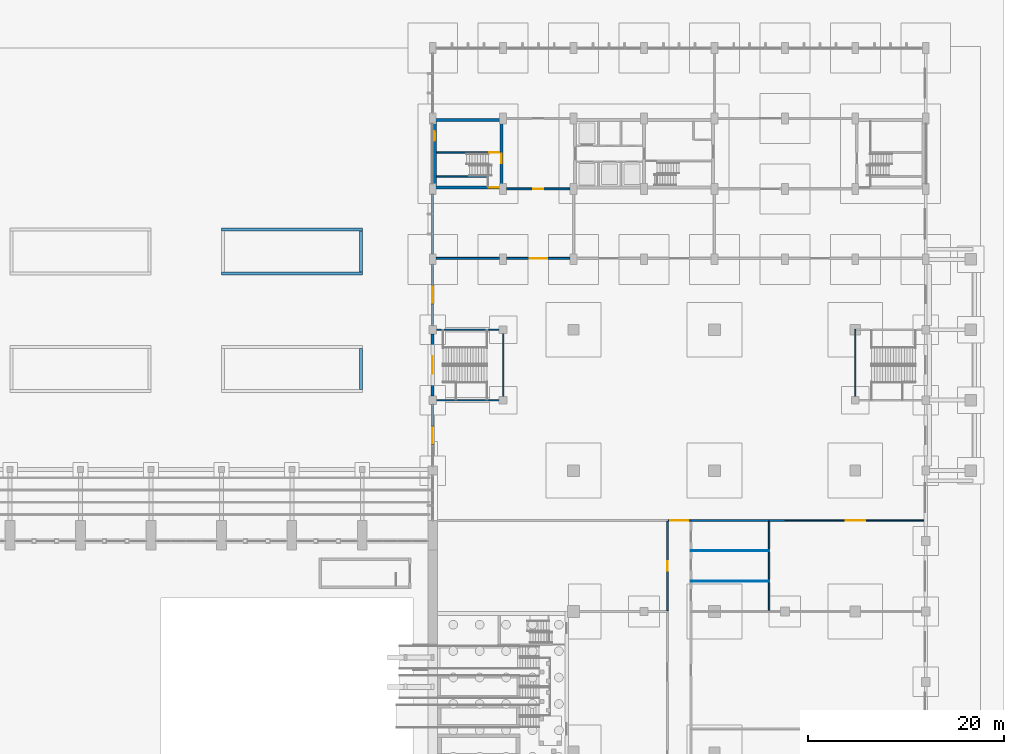
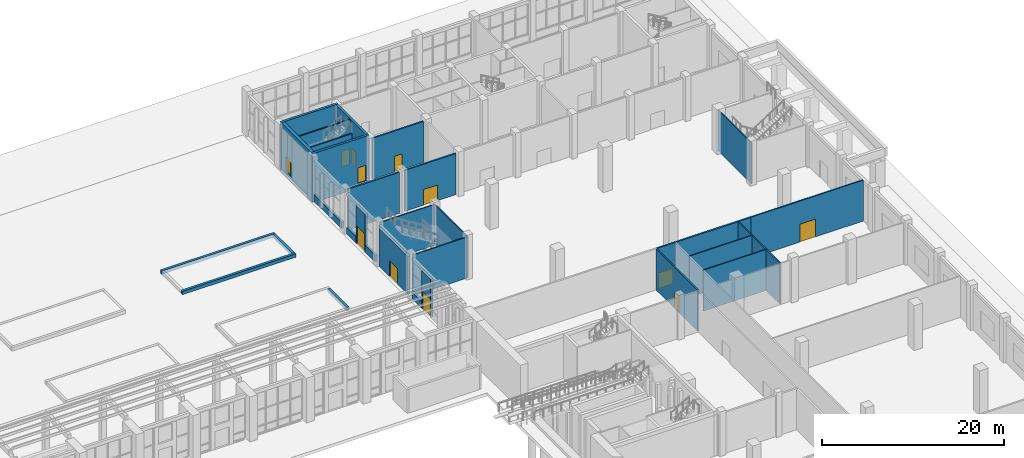
# One storey, part 51 of 70: 32 walls, 12 doors, 12 openings.
"""IFC4 building model written with IfcOpenShell, lengths in metres."""

from ifc_helpers import new_model, si_unit, direction, frame, frame_2d, origin, place, context, subcontext, project, spatial, rectangle, extrude, material, layer, layer_set, type_object, element, fill, save


model = new_model("IFC4")

# Units and contexts
model_context = context("Model", 3, precision=1e-05, world=origin(), true_north=direction((0.0, 1.0)))
body_context = subcontext(model_context, "Body", "Model", "MODEL_VIEW")
ifc_project = project(units=[si_unit("LENGTHUNIT", "METRE"), si_unit("AREAUNIT", "SQUARE_METRE"), si_unit("VOLUMEUNIT", "CUBIC_METRE"), si_unit("PLANEANGLEUNIT", "RADIAN"), si_unit("MASSUNIT", "GRAM", prefix="KILO")], contexts=[model_context])

# Site, building, storey
site_placement = place(None, origin())
site = spatial("IfcSite", under=ifc_project, at=site_placement, CompositionType="ELEMENT")
building_placement = place(site_placement, origin())
building = spatial("IfcBuilding", under=site, at=building_placement, Name="Vermilion Court Aquatics Centre", CompositionType="ELEMENT")
storey_placement = place(building_placement, origin())
storey = spatial("IfcBuildingStorey", under=building, at=storey_placement, Name="L00", CompositionType="ELEMENT", Elevation=0.0)

# Walls
ifc_material_1 = material(Name="Brick masonry", Category="masonry")
ifc_layer_1 = layer(ifc_material_1, 0.300048828125)
ifc_layer_set_1 = layer_set([ifc_layer_1], Name="Court planting kerb 300")
wall_type_1 = type_object("IfcWallType", Name="Court planting kerb 300", PredefinedType="SOLIDWALL", material=ifc_layer_set_1)
wall_1_placement = place(storey_placement, frame((136.64990234375, 80.300048828125, 0.0), z_axis=(0.0, 0.0, 1.0), x_axis=(0.0, 1.0, 0.0)))
element("IfcWall", 1, at=wall_1_placement, inside=storey, type_object=wall_type_1, Name="Planting bed 4 kerb", PredefinedType="SOLIDWALL", context=body_context, shape_type="SweptSolid", body=[
    extrude(rectangle(XDim=4.199951171875, YDim=0.300048828125, at=frame_2d((2.10009765625, 0.0))), origin(), (0.0, 0.0, 1.0), 0.449951171875),
])
for number, where, z_axis, x_axis, name in (
    (2, (122.39990234375, 92.14990234375, 0.0), (0.0, 0.0, 1.0), (1.0, 0.0, 0.0), "Planting bed 8 kerb"),
    (3, (122.39990234375, 96.64990234375, 0.0), (0.0, 0.0, 1.0), (1.0, 0.0, 0.0), "Planting bed 8 kerb"),
):
    element("IfcWall", number, at=place(storey_placement, frame(where, z_axis=z_axis, x_axis=x_axis)), inside=storey, type_object=wall_type_1, Name=name, PredefinedType="SOLIDWALL", context=body_context, shape_type="SweptSolid", body=[
        extrude(rectangle(XDim=14.400146484375, YDim=0.300048828125, at=frame_2d((7.2001953125, 0.0))), origin(), (0.0, 0.0, 1.0), 0.449951171875),
    ])
wall_2_placement = place(storey_placement, frame((136.64990234375, 92.300048828125, 0.0), z_axis=(0.0, 0.0, 1.0), x_axis=(0.0, 1.0, 0.0)))
element("IfcWall", 4, at=wall_2_placement, inside=storey, type_object=wall_type_1, Name="Planting bed 8 kerb", PredefinedType="SOLIDWALL", context=body_context, shape_type="SweptSolid", body=[
    extrude(rectangle(XDim=4.199951171875, YDim=0.300048828125, at=frame_2d((2.10009765625, 0.0))), origin(), (0.0, 0.0, 1.0), 0.449951171875),
])

# Wall, opening, door
ifc_material_2 = material(Name="Concrete 8000 psi", Category="concrete")
ifc_layer_2 = layer(ifc_material_2, 0.39990234375)
ifc_layer_set_2 = layer_set([ifc_layer_2], Name="North block core brick-faced shear wall 400")
wall_type_2 = type_object("IfcWallType", Name="North block core brick-faced shear wall 400", PredefinedType="SHEAR", material=ifc_layer_set_2)
wall_3_placement = place(storey_placement, frame((144.199951171875, 101.10009765625, -0.60009765625), z_axis=(0.0, 0.0, 1.0), x_axis=(0.0, 1.0, 0.0)))
wall_3 = element("IfcWall", 5, at=wall_3_placement, inside=storey, type_object=wall_type_2, Name="Stair 1 shear wall outer L00", PredefinedType="SHEAR", context=body_context, shape_type="SweptSolid", body=[
    extrude(rectangle(XDim=6.599853515625, YDim=0.39990234375, at=frame_2d((3.2998046875, 0.0))), origin(), (0.0, 0.0, 1.0), 6.60009765625),
])
opening_1_placement = place(wall_3_placement, frame((4.60009765625, 0.0, 0.60009765625)))
opening_1 = element("IfcOpeningElement", 6, at=opening_1_placement, cuts=wall_3, Name="Opening U00-013", PredefinedType="OPENING", context=body_context, shape_type="SweptSolid", body=[
    extrude(rectangle(XDim=1.0, YDim=2.10009765625, at=frame_2d((0.5, 1.050048828125))), frame((0.0, 0.2099609375, 0.0), z_axis=(0.0, -1.0, 0.0), x_axis=(1.0, 0.0, 0.0)), (0.0, 0.0, 1.0), 0.419921875),
])
ifc_material_3 = material(Name="Hollow metal")
door_type_1 = type_object("IfcDoorType", Name="North block exit door FD90 1000x2100", OperationType="NOTDEFINED", PredefinedType="DOOR", material=ifc_material_3)
door_1_placement = place(opening_1_placement, origin())
door_1 = element("IfcDoor", 7, at=door_1_placement, inside=storey, type_object=door_type_1, Name="Fire control room exit door", OperationType="SINGLE_SWING_RIGHT", OverallHeight=2.10009765625, OverallWidth=1.0, PredefinedType="DOOR", context=body_context, shape_type="SweptSolid", body=[
    extrude(rectangle(XDim=1.0, YDim=2.10009765625, at=frame_2d((0.5, 1.050048828125))), frame((0.0, 0.02490234375, 0.0), z_axis=(0.0, -1.0, 0.0), x_axis=(1.0, 0.0, 0.0)), (0.0, 0.0, 1.0), 0.050048828125),
])
fill(opening_1, door_1)

ifc_material_4 = material(Name="Concrete 8000 psi", Category="concrete")
ifc_layer_3 = layer(ifc_material_4, 0.300048828125)
ifc_layer_set_3 = layer_set([ifc_layer_3], Name="North block core shear wall 300")
wall_type_3 = type_object("IfcWallType", Name="North block core shear wall 300", PredefinedType="SHEAR", material=ifc_layer_set_3)
wall_4_placement = place(storey_placement, frame((144.0, 100.949951171875, -0.60009765625), z_axis=(0.0, 0.0, 1.0), x_axis=(1.0, 0.0, 0.0)))
wall_4 = element("IfcWall", 8, at=wall_4_placement, inside=storey, type_object=wall_type_3, Name="Stair 1 shear wall south L00", PredefinedType="SHEAR", context=body_context, shape_type="SweptSolid", body=[
    extrude(rectangle(XDim=7.199951171875, YDim=0.300048828125, at=frame_2d((3.60009765625, 0.0))), origin(), (0.0, 0.0, 1.0), 6.60009765625),
])
opening_2_placement = place(wall_4_placement, frame((5.75, 0.0, 0.60009765625)))
opening_2 = element("IfcOpeningElement", 9, at=opening_2_placement, cuts=wall_4, Name="Opening U00-010", PredefinedType="OPENING", context=body_context, shape_type="SweptSolid", body=[
    extrude(rectangle(XDim=1.0, YDim=2.10009765625, at=frame_2d((0.5, 1.050048828125))), frame((0.0, 0.159912109375, 0.0), z_axis=(0.0, -1.0, 0.0), x_axis=(1.0, 0.0, 0.0)), (0.0, 0.0, 1.0), 0.320068359375),
])
door_2_placement = place(opening_2_placement, frame((1.0, 0.0, 0.0), z_axis=(0.0, 0.0, 1.0), x_axis=(-1.0, 0.0, 0.0)))
door_2 = element("IfcDoor", 10, at=door_2_placement, inside=storey, type_object=door_type_1, Name="Stair 1 exit door", OperationType="SINGLE_SWING_LEFT", OverallHeight=2.10009765625, OverallWidth=1.0, PredefinedType="DOOR", context=body_context, shape_type="SweptSolid", body=[
    extrude(rectangle(XDim=1.0, YDim=2.10009765625, at=frame_2d((0.5, 1.050048828125))), frame((0.0, 0.025146484375, 0.0), z_axis=(0.0, -1.0, 0.0), x_axis=(1.0, 0.0, 0.0)), (0.0, 0.0, 1.0), 0.050048828125),
])
fill(opening_2, door_2)

# Wall
wall_5_placement = place(storey_placement, frame((144.0, 107.85009765625, -0.60009765625), z_axis=(0.0, 0.0, 1.0), x_axis=(1.0, 0.0, 0.0)))
element("IfcWall", 11, at=wall_5_placement, inside=storey, type_object=wall_type_3, Name="Stair 1 shear wall north L00", PredefinedType="SHEAR", context=body_context, shape_type="SweptSolid", body=[
    extrude(rectangle(XDim=7.199951171875, YDim=0.300048828125, at=frame_2d((3.60009765625, 0.0))), origin(), (0.0, 0.0, 1.0), 6.60009765625),
])

# Wall, opening, door
wall_6_placement = place(storey_placement, frame((151.050048828125, 101.10009765625, -0.60009765625), z_axis=(0.0, 0.0, 1.0), x_axis=(0.0, 1.0, 0.0)))
wall_6 = element("IfcWall", 12, at=wall_6_placement, inside=storey, type_object=wall_type_3, Name="Stair 1 shear wall inner L00", PredefinedType="SHEAR", context=body_context, shape_type="SweptSolid", body=[
    extrude(rectangle(XDim=6.599853515625, YDim=0.300048828125, at=frame_2d((3.2998046875, 0.0))), origin(), (0.0, 0.0, 1.0), 6.60009765625),
])
opening_3_placement = place(wall_6_placement, frame((2.300048828125, 0.0, 0.60009765625)))
opening_3 = element("IfcOpeningElement", 13, at=opening_3_placement, cuts=wall_6, Name="Opening U00-008", PredefinedType="OPENING", context=body_context, shape_type="SweptSolid", body=[
    extrude(rectangle(XDim=1.0, YDim=2.10009765625, at=frame_2d((0.5, 1.050048828125))), frame((0.0, 0.159912109375, 0.0), z_axis=(0.0, -1.0, 0.0), x_axis=(1.0, 0.0, 0.0)), (0.0, 0.0, 1.0), 0.320068359375),
])
ifc_material_5 = material(Name="Hollow metal")
door_type_2 = type_object("IfcDoorType", Name="North block fire door FD90 1000x2100", OperationType="NOTDEFINED", PredefinedType="DOOR", material=ifc_material_5)
door_3_placement = place(opening_3_placement, frame((1.0, 0.0, 0.0), z_axis=(0.0, 0.0, 1.0), x_axis=(-1.0, 0.0, 0.0)))
door_3 = element("IfcDoor", 14, at=door_3_placement, inside=storey, type_object=door_type_2, Name="Stair 1 door L00", OperationType="SINGLE_SWING_LEFT", OverallHeight=2.10009765625, OverallWidth=1.0, PredefinedType="DOOR", context=body_context, shape_type="SweptSolid", body=[
    extrude(rectangle(XDim=1.0, YDim=2.10009765625, at=frame_2d((0.5, 1.050048828125))), frame((0.0, 0.025146484375, 0.0), z_axis=(0.0, -1.0, 0.0), x_axis=(1.0, 0.0, 0.0)), (0.0, 0.0, 1.0), 0.050048828125),
])
fill(opening_3, door_3)

# Wall
ifc_material_6 = material(Name="Concrete 5000 psi", Category="concrete")
ifc_layer_4 = layer(ifc_material_6, 0.14990234375)
ifc_layer_set_4 = layer_set([ifc_layer_4], Name="North block stair lane wall 150")
wall_type_4 = type_object("IfcWallType", Name="North block stair lane wall 150", PredefinedType="SHEAR", material=ifc_layer_set_4)
wall_7_placement = place(storey_placement, frame((144.39990234375, 102.054931640625, -0.60009765625), z_axis=(0.0, 0.0, 1.0), x_axis=(1.0, 0.0, 0.0)))
element("IfcWall", 15, at=wall_7_placement, inside=storey, type_object=wall_type_4, Name="Stair 1 lane wall south L00", PredefinedType="SHEAR", context=body_context, shape_type="SweptSolid", body=[
    extrude(rectangle(XDim=5.300048828125, YDim=0.14990234375, at=frame_2d((2.64990234375, 0.0))), origin(), (0.0, 0.0, 1.0), 6.60009765625),
])

# Wall, opening, door
wall_8_placement = place(storey_placement, frame((144.39990234375, 104.5048828125, -0.60009765625), z_axis=(0.0, 0.0, 1.0), x_axis=(1.0, 0.0, 0.0)))
wall_8 = element("IfcWall", 16, at=wall_8_placement, inside=storey, type_object=wall_type_4, Name="Fire command centre wall L00", PredefinedType="SHEAR", context=body_context, shape_type="SweptSolid", body=[
    extrude(rectangle(XDim=6.5, YDim=0.14990234375, at=frame_2d((3.25, 0.0))), origin(), (0.0, 0.0, 1.0), 6.60009765625),
])
opening_4_placement = place(wall_8_placement, frame((5.39990234375, 0.0, 0.60009765625)))
opening_4 = element("IfcOpeningElement", 17, at=opening_4_placement, cuts=wall_8, Name="Opening U00-012", PredefinedType="OPENING", context=body_context, shape_type="SweptSolid", body=[
    extrude(rectangle(XDim=1.0, YDim=2.10009765625, at=frame_2d((0.5, 1.050048828125))), frame((0.0, 0.0849609375, 0.0), z_axis=(0.0, -1.0, 0.0), x_axis=(1.0, 0.0, 0.0)), (0.0, 0.0, 1.0), 0.169921875),
])
door_4_placement = place(opening_4_placement, origin())
door_4 = element("IfcDoor", 18, at=door_4_placement, inside=storey, type_object=door_type_2, Name="Fire control room door", OperationType="SINGLE_SWING_RIGHT", OverallHeight=2.10009765625, OverallWidth=1.0, PredefinedType="DOOR", context=body_context, shape_type="SweptSolid", body=[
    extrude(rectangle(XDim=1.0, YDim=2.10009765625, at=frame_2d((0.5, 1.050048828125))), frame((0.0, 0.02490234375, 0.0), z_axis=(0.0, -1.0, 0.0), x_axis=(1.0, 0.0, 0.0)), (0.0, 0.0, 1.0), 0.050048828125),
])
fill(opening_4, door_4)

ifc_material_7 = material(Name="Concrete masonry ASTM C90 Type I", Category="masonry")
ifc_layer_5 = layer(ifc_material_7, 0.175048828125)
ifc_layer_set_5 = layer_set([ifc_layer_5], Name="Podium corridor wall 175, 1 hr")
wall_type_5 = type_object("IfcWallType", Name="Podium corridor wall 175, 1 hr", PredefinedType="PARTITIONING", material=ifc_layer_set_5)
wall_9_placement = place(storey_placement, frame((168.0, 57.699951171875, 0.0), z_axis=(0.0, 0.0, 1.0), x_axis=(0.0, 1.0, 0.0)))
wall_9 = element("IfcWall", 19, at=wall_9_placement, inside=storey, type_object=wall_type_5, Name="Corridor wall", PredefinedType="PARTITIONING", context=body_context, shape_type="SweptSolid", body=[
    extrude(rectangle(XDim=9.10009765625, YDim=0.175048828125, at=frame_2d((4.550048828125, 0.0))), origin(), (0.0, 0.0, 1.0), 5.5),
])
opening_5_placement = place(wall_9_placement, frame((4.050048828125, 0.0, 0.0)))
opening_5 = element("IfcOpeningElement", 20, at=opening_5_placement, cuts=wall_9, Name="Opening P00-013", PredefinedType="OPENING", context=body_context, shape_type="SweptSolid", body=[
    extrude(rectangle(XDim=1.0, YDim=2.199951171875, at=frame_2d((0.5, 1.10009765625))), frame((0.0, 0.097412109375, 0.0), z_axis=(0.0, -1.0, 0.0), x_axis=(1.0, 0.0, 0.0)), (0.0, 0.0, 1.0), 0.195068359375),
])
ifc_material_8 = material(Name="Hollow metal")
door_type_3 = type_object("IfcDoorType", Name="Podium fire door back-of-house leaf 1000x2200, 60 min", OperationType="NOTDEFINED", PredefinedType="DOOR", material=ifc_material_8)
door_5_placement = place(opening_5_placement, frame((1.0, 0.0, 0.0), z_axis=(0.0, 0.0, 1.0), x_axis=(-1.0, 0.0, 0.0)))
door_5 = element("IfcDoor", 21, at=door_5_placement, inside=storey, type_object=door_type_3, Name="Door", OperationType="SINGLE_SWING_RIGHT", OverallHeight=2.199951171875, OverallWidth=1.0, PredefinedType="DOOR", context=body_context, shape_type="SweptSolid", body=[
    extrude(rectangle(XDim=1.0, YDim=2.199951171875, at=frame_2d((0.5, 1.10009765625))), frame((0.0, 0.025146484375, 0.0), z_axis=(0.0, -1.0, 0.0), x_axis=(1.0, 0.0, 0.0)), (0.0, 0.0, 1.0), 0.050048828125),
])
fill(opening_5, door_5)

wall_10_placement = place(storey_placement, frame((168.08740234375, 66.89990234375, 0.0), z_axis=(0.0, 0.0, 1.0), x_axis=(1.0, 0.0, 0.0)))
wall_10 = element("IfcWall", 22, at=wall_10_placement, inside=storey, type_object=wall_type_5, Name="Corridor wall", PredefinedType="PARTITIONING", context=body_context, shape_type="SweptSolid", body=[
    extrude(rectangle(XDim=2.3125, YDim=0.175048828125, at=frame_2d((1.15625, 0.0))), origin(), (0.0, 0.0, 1.0), 5.5),
])
opening_6_placement = place(wall_10_placement, frame((0.21240234375, 0.0, 0.0)))
opening_6 = element("IfcOpeningElement", 23, at=opening_6_placement, cuts=wall_10, Name="Opening P00-029", PredefinedType="OPENING", context=body_context, shape_type="SweptSolid", body=[
    extrude(rectangle(XDim=1.800048828125, YDim=2.10009765625, at=frame_2d((0.89990234375, 1.050048828125))), frame((0.0, 0.097412109375, 0.0), z_axis=(0.0, -1.0, 0.0), x_axis=(1.0, 0.0, 0.0)), (0.0, 0.0, 1.0), 0.195068359375),
])
ifc_material_9 = material(Name="Hollow metal")
door_type_4 = type_object("IfcDoorType", Name="Podium fire door pair 1800x2100, 60 min", OperationType="DOUBLE_DOOR_SINGLE_SWING", PredefinedType="DOOR", material=ifc_material_9)
door_6_placement = place(opening_6_placement, origin())
door_6 = element("IfcDoor", 24, at=door_6_placement, inside=storey, type_object=door_type_4, Name="Door", OperationType="DOUBLE_DOOR_SINGLE_SWING", OverallHeight=2.10009765625, OverallWidth=1.800048828125, PredefinedType="DOOR", context=body_context, shape_type="SweptSolid", body=[
    extrude(rectangle(XDim=1.800048828125, YDim=2.10009765625, at=frame_2d((0.89990234375, 1.050048828125))), frame((0.0, 0.02490234375, 0.0), z_axis=(0.0, -1.0, 0.0), x_axis=(1.0, 0.0, 0.0)), (0.0, 0.0, 1.0), 0.050048828125),
])
fill(opening_6, door_6)

ifc_material_10 = material(Name="Brick masonry", Category="masonry")
ifc_layer_6 = layer(ifc_material_10, 0.300048828125)
ifc_layer_set_6 = layer_set([ifc_layer_6], Name="Podium facade brick wall 300")
wall_type_6 = type_object("IfcWallType", Name="Podium facade brick wall 300", PredefinedType="SOLIDWALL", material=ifc_layer_set_6)
wall_11_placement = place(storey_placement, frame((144.0, 74.60009765625, 0.0), z_axis=(0.0, 0.0, 1.0), x_axis=(0.0, 1.0, 0.0)))
wall_11 = element("IfcWall", 25, at=wall_11_placement, inside=storey, type_object=wall_type_6, Name="Facade wall L00", PredefinedType="SOLIDWALL", context=body_context, shape_type="SweptSolid", body=[
    extrude(rectangle(XDim=2.0, YDim=0.300048828125, at=frame_2d((1.0, 0.0))), origin(), (0.0, 0.0, 1.0), 5.10009765625),
])
opening_7_placement = place(wall_11_placement, frame((0.10009765625, 0.0, 0.0)))
opening_7 = element("IfcOpeningElement", 26, at=opening_7_placement, cuts=wall_11, Name="Opening WX5", PredefinedType="OPENING", context=body_context, shape_type="SweptSolid", body=[
    extrude(rectangle(XDim=1.800048828125, YDim=2.39990234375, at=frame_2d((0.89990234375, 1.199951171875))), frame((0.0, 0.159912109375, 0.0), z_axis=(0.0, -1.0, 0.0), x_axis=(1.0, 0.0, 0.0)), (0.0, 0.0, 1.0), 0.320068359375),
])
ifc_material_11 = material(Name="Aluminium 6063-T5", Category="aluminium")
door_type_5 = type_object("IfcDoorType", Name="Podium entrance door pair 1800x2400", OperationType="DOUBLE_DOOR_SINGLE_SWING", PredefinedType="DOOR", material=ifc_material_11)
door_7_placement = place(opening_7_placement, origin())
door_7 = element("IfcDoor", 27, at=door_7_placement, inside=storey, type_object=door_type_5, Name="Exit door WX5", OperationType="DOUBLE_DOOR_SINGLE_SWING", OverallHeight=2.39990234375, OverallWidth=1.800048828125, PredefinedType="DOOR", context=body_context, shape_type="SweptSolid", body=[
    extrude(rectangle(XDim=1.800048828125, YDim=2.39990234375, at=frame_2d((0.89990234375, 1.199951171875))), frame((0.0, 0.02490234375, 0.0), z_axis=(0.0, -1.0, 0.0), x_axis=(1.0, 0.0, 0.0)), (0.0, 0.0, 1.0), 0.050048828125),
])
fill(opening_7, door_7)

# Wall
wall_12_placement = place(storey_placement, frame((144.0, 76.60009765625, 0.0), z_axis=(0.0, 0.0, 1.0), x_axis=(0.0, 1.0, 0.0)))
element("IfcWall", 28, at=wall_12_placement, inside=storey, type_object=wall_type_6, Name="Facade sill wall L00", PredefinedType="SOLIDWALL", context=body_context, shape_type="SweptSolid", body=[
    extrude(rectangle(XDim=2.14990234375, YDim=0.300048828125, at=frame_2d((1.074951171875, 0.0))), origin(), (0.0, 0.0, 1.0), 0.89990234375),
])

# Wall, opening, door
wall_13_placement = place(storey_placement, frame((144.0, 79.64990234375, 0.0), z_axis=(0.0, 0.0, 1.0), x_axis=(0.0, 1.0, 0.0)))
wall_13 = element("IfcWall", 29, at=wall_13_placement, inside=storey, type_object=wall_type_6, Name="Facade wall L00", PredefinedType="SOLIDWALL", context=body_context, shape_type="SweptSolid", body=[
    extrude(rectangle(XDim=6.300048828125, YDim=0.300048828125, at=frame_2d((3.14990234375, 0.0))), origin(), (0.0, 0.0, 1.0), 5.10009765625),
])
opening_8_placement = place(wall_13_placement, frame((2.25, 0.0, 0.0)))
opening_8 = element("IfcOpeningElement", 30, at=opening_8_placement, cuts=wall_13, Name="Opening WX2", PredefinedType="OPENING", context=body_context, shape_type="SweptSolid", body=[
    extrude(rectangle(XDim=1.800048828125, YDim=2.10009765625, at=frame_2d((0.89990234375, 1.050048828125))), frame((0.0, 0.159912109375, 0.0), z_axis=(0.0, -1.0, 0.0), x_axis=(1.0, 0.0, 0.0)), (0.0, 0.0, 1.0), 0.320068359375),
])
ifc_material_12 = material(Name="Hollow metal")
door_type_6 = type_object("IfcDoorType", Name="Podium exit door pair 1800x2100", OperationType="DOUBLE_DOOR_SINGLE_SWING", PredefinedType="DOOR", material=ifc_material_12)
door_8_placement = place(opening_8_placement, origin())
door_8 = element("IfcDoor", 31, at=door_8_placement, inside=storey, type_object=door_type_6, Name="Exit door WX2", OperationType="DOUBLE_DOOR_SINGLE_SWING", OverallHeight=2.10009765625, OverallWidth=1.800048828125, PredefinedType="DOOR", context=body_context, shape_type="SweptSolid", body=[
    extrude(rectangle(XDim=1.800048828125, YDim=2.10009765625, at=frame_2d((0.89990234375, 1.050048828125))), frame((0.0, 0.02490234375, 0.0), z_axis=(0.0, -1.0, 0.0), x_axis=(1.0, 0.0, 0.0)), (0.0, 0.0, 1.0), 0.050048828125),
])
fill(opening_8, door_8)

wall_14_placement = place(storey_placement, frame((144.0, 89.0, 0.0), z_axis=(0.0, 0.0, 1.0), x_axis=(0.0, 1.0, 0.0)))
wall_14 = element("IfcWall", 32, at=wall_14_placement, inside=storey, type_object=wall_type_6, Name="Facade wall L00", PredefinedType="SOLIDWALL", context=body_context, shape_type="SweptSolid", body=[
    extrude(rectangle(XDim=2.0, YDim=0.300048828125, at=frame_2d((1.0, 0.0))), origin(), (0.0, 0.0, 1.0), 5.10009765625),
])
opening_9_placement = place(wall_14_placement, frame((0.10009765625, 0.0, 0.0)))
opening_9 = element("IfcOpeningElement", 33, at=opening_9_placement, cuts=wall_14, Name="Opening WX6", PredefinedType="OPENING", context=body_context, shape_type="SweptSolid", body=[
    extrude(rectangle(XDim=1.800048828125, YDim=2.39990234375, at=frame_2d((0.89990234375, 1.199951171875))), frame((0.0, 0.159912109375, 0.0), z_axis=(0.0, -1.0, 0.0), x_axis=(1.0, 0.0, 0.0)), (0.0, 0.0, 1.0), 0.320068359375),
])
door_9_placement = place(opening_9_placement, origin())
door_9 = element("IfcDoor", 34, at=door_9_placement, inside=storey, type_object=door_type_5, Name="Exit door WX6", OperationType="DOUBLE_DOOR_SINGLE_SWING", OverallHeight=2.39990234375, OverallWidth=1.800048828125, PredefinedType="DOOR", context=body_context, shape_type="SweptSolid", body=[
    extrude(rectangle(XDim=1.800048828125, YDim=2.39990234375, at=frame_2d((0.89990234375, 1.199951171875))), frame((0.0, 0.02490234375, 0.0), z_axis=(0.0, -1.0, 0.0), x_axis=(1.0, 0.0, 0.0)), (0.0, 0.0, 1.0), 0.050048828125),
])
fill(opening_9, door_9)

# Walls
wall_15_placement = place(storey_placement, frame((144.0, 86.85009765625, 0.0), z_axis=(0.0, 0.0, 1.0), x_axis=(0.0, 1.0, 0.0)))
element("IfcWall", 35, at=wall_15_placement, inside=storey, type_object=wall_type_6, Name="Facade sill wall L00", PredefinedType="SOLIDWALL", context=body_context, shape_type="SweptSolid", body=[
    extrude(rectangle(XDim=2.14990234375, YDim=0.300048828125, at=frame_2d((1.074951171875, 0.0))), origin(), (0.0, 0.0, 1.0), 0.89990234375),
])
wall_16_placement = place(storey_placement, frame((144.0, 91.0, 0.0), z_axis=(0.0, 0.0, 1.0), x_axis=(0.0, 1.0, 0.0)))
element("IfcWall", 36, at=wall_16_placement, inside=storey, type_object=wall_type_6, Name="Facade sill wall L00", PredefinedType="SOLIDWALL", context=body_context, shape_type="SweptSolid", body=[
    extrude(rectangle(XDim=2.050048828125, YDim=0.300048828125, at=frame_2d((1.02490234375, 0.0))), origin(), (0.0, 0.0, 1.0), 0.89990234375),
])
wall_17_placement = place(storey_placement, frame((144.0, 94.14990234375, 0.0), z_axis=(0.0, 0.0, 1.0), x_axis=(0.0, 1.0, 0.0)))
element("IfcWall", 37, at=wall_17_placement, inside=storey, type_object=wall_type_6, Name="Facade sill wall L00", PredefinedType="SOLIDWALL", context=body_context, shape_type="SweptSolid", body=[
    extrude(rectangle(XDim=6.10009765625, YDim=0.300048828125, at=frame_2d((3.050048828125, 0.0))), origin(), (0.0, 0.0, 1.0), 0.89990234375),
])
ifc_material_13 = material(Name="Concrete masonry ASTM C90 Type I", Category="masonry")
ifc_layer_7 = layer(ifc_material_13, 0.199951171875)
ifc_layer_set_7 = layer_set([ifc_layer_7], Name="Podium fire-rated partition 200, 1 hr")
wall_type_7 = type_object("IfcWallType", Name="Podium fire-rated partition 200, 1 hr", PredefinedType="PARTITIONING", material=ifc_layer_set_7)
wall_18_placement = place(storey_placement, frame((170.39990234375, 66.89990234375, 0.0), z_axis=(0.0, 0.0, 1.0), x_axis=(1.0, 0.0, 0.0)))
element("IfcWall", 38, at=wall_18_placement, inside=storey, type_object=wall_type_7, Name="Fire-rated partition", PredefinedType="PARTITIONING", context=body_context, shape_type="SweptSolid", body=[
    extrude(rectangle(XDim=8.0, YDim=0.199951171875, at=frame_2d((4.0, 0.0))), origin(), (0.0, 0.0, 1.0), 5.5),
])
wall_19_placement = place(storey_placement, frame((178.39990234375, 66.89990234375, 0.0), z_axis=(0.0, 0.0, 1.0), x_axis=(1.0, 0.0, 0.0)))
element("IfcWall", 39, at=wall_19_placement, inside=storey, type_object=wall_type_7, Name="Fire-rated partition", PredefinedType="PARTITIONING", context=body_context, shape_type="SweptSolid", body=[
    extrude(rectangle(XDim=1.60009765625, YDim=0.199951171875, at=frame_2d((0.800048828125, 0.0))), origin(), (0.0, 0.0, 1.0), 5.5),
])
wall_20_placement = place(storey_placement, frame((144.35009765625, 93.699951171875, 0.0), z_axis=(0.0, 0.0, 1.0), x_axis=(1.0, 0.0, 0.0)))
element("IfcWall", 40, at=wall_20_placement, inside=storey, type_object=wall_type_7, Name="Fire-rated partition", PredefinedType="PARTITIONING", context=body_context, shape_type="SweptSolid", body=[
    extrude(rectangle(XDim=6.5, YDim=0.199951171875, at=frame_2d((3.25, 0.0))), origin(), (0.0, 0.0, 1.0), 5.5),
])

# Wall, opening, door
wall_21_placement = place(storey_placement, frame((151.550048828125, 93.699951171875, 0.0), z_axis=(0.0, 0.0, 1.0), x_axis=(1.0, 0.0, 0.0)))
wall_21 = element("IfcWall", 41, at=wall_21_placement, inside=storey, type_object=wall_type_7, Name="Fire-rated partition", PredefinedType="PARTITIONING", context=body_context, shape_type="SweptSolid", body=[
    extrude(rectangle(XDim=6.5, YDim=0.199951171875, at=frame_2d((3.25, 0.0))), origin(), (0.0, 0.0, 1.0), 5.5),
])
opening_10_placement = place(wall_21_placement, frame((2.35009765625, 0.0, 0.0)))
opening_10 = element("IfcOpeningElement", 42, at=opening_10_placement, cuts=wall_21, Name="Opening P00-023", PredefinedType="OPENING", context=body_context, shape_type="SweptSolid", body=[
    extrude(rectangle(XDim=1.800048828125, YDim=2.10009765625, at=frame_2d((0.89990234375, 1.050048828125))), frame((0.0, 0.10986328125, 0.0), z_axis=(0.0, -1.0, 0.0), x_axis=(1.0, 0.0, 0.0)), (0.0, 0.0, 1.0), 0.219970703125),
])
door_10_placement = place(opening_10_placement, frame((1.800048828125, 0.0, 0.0), z_axis=(0.0, 0.0, 1.0), x_axis=(-1.0, 0.0, 0.0)))
door_10 = element("IfcDoor", 43, at=door_10_placement, inside=storey, type_object=door_type_4, Name="Door", OperationType="DOUBLE_DOOR_SINGLE_SWING", OverallHeight=2.10009765625, OverallWidth=1.800048828125, PredefinedType="DOOR", context=body_context, shape_type="SweptSolid", body=[
    extrude(rectangle(XDim=1.800048828125, YDim=2.10009765625, at=frame_2d((0.900146484375, 1.050048828125))), frame((0.0, 0.025146484375, 0.0), z_axis=(0.0, -1.0, 0.0), x_axis=(1.0, 0.0, 0.0)), (0.0, 0.0, 1.0), 0.050048828125),
])
fill(opening_10, door_10)

wall_22_placement = place(storey_placement, frame((151.550048828125, 100.800048828125, 0.0), z_axis=(0.0, 0.0, 1.0), x_axis=(1.0, 0.0, 0.0)))
wall_22 = element("IfcWall", 44, at=wall_22_placement, inside=storey, type_object=wall_type_7, Name="Fire-rated partition", PredefinedType="PARTITIONING", context=body_context, shape_type="SweptSolid", body=[
    extrude(rectangle(XDim=6.5, YDim=0.199951171875, at=frame_2d((3.25, 0.0))), origin(), (0.0, 0.0, 1.0), 5.5),
])
opening_11_placement = place(wall_22_placement, frame((2.75, 0.0, 0.0)))
opening_11 = element("IfcOpeningElement", 45, at=opening_11_placement, cuts=wall_22, Name="Opening P00-025", PredefinedType="OPENING", context=body_context, shape_type="SweptSolid", body=[
    extrude(rectangle(XDim=1.0, YDim=2.10009765625, at=frame_2d((0.5, 1.050048828125))), frame((0.0, 0.10986328125, 0.0), z_axis=(0.0, -1.0, 0.0), x_axis=(1.0, 0.0, 0.0)), (0.0, 0.0, 1.0), 0.219970703125),
])
ifc_material_14 = material(Name="Hollow metal")
door_type_7 = type_object("IfcDoorType", Name="Podium fire door leaf 1000x2100, 60 min", OperationType="NOTDEFINED", PredefinedType="DOOR", material=ifc_material_14)
door_11_placement = place(opening_11_placement, origin())
door_11 = element("IfcDoor", 46, at=door_11_placement, inside=storey, type_object=door_type_7, Name="Door", OperationType="SINGLE_SWING_RIGHT", OverallHeight=2.10009765625, OverallWidth=1.0, PredefinedType="DOOR", context=body_context, shape_type="SweptSolid", body=[
    extrude(rectangle(XDim=1.0, YDim=2.10009765625, at=frame_2d((0.5, 1.050048828125))), frame((0.0, 0.02490234375, 0.0), z_axis=(0.0, -1.0, 0.0), x_axis=(1.0, 0.0, 0.0)), (0.0, 0.0, 1.0), 0.050048828125),
])
fill(opening_11, door_11)

ifc_material_15 = material(Name="Gypsum board")
ifc_layer_8 = layer(ifc_material_15, 0.14990234375)
ifc_layer_set_8 = layer_set([ifc_layer_8], Name="Podium partition wall 150")
wall_type_8 = type_object("IfcWallType", Name="Podium partition wall 150", PredefinedType="PARTITIONING", material=ifc_layer_set_8)
wall_23_placement = place(storey_placement, frame((180.0, 66.89990234375, 0.0), z_axis=(0.0, 0.0, 1.0), x_axis=(1.0, 0.0, 0.0)))
wall_23 = element("IfcWall", 47, at=wall_23_placement, inside=storey, type_object=wall_type_8, Name="Partition", PredefinedType="PARTITIONING", context=body_context, shape_type="SweptSolid", body=[
    extrude(rectangle(XDim=14.25, YDim=0.14990234375, at=frame_2d((7.125, 0.0))), origin(), (0.0, 0.0, 1.0), 5.5),
])
opening_12_placement = place(wall_23_placement, frame((6.199951171875, 0.0, 0.0)))
opening_12 = element("IfcOpeningElement", 48, at=opening_12_placement, cuts=wall_23, Name="Opening P00-020", PredefinedType="OPENING", context=body_context, shape_type="SweptSolid", body=[
    extrude(rectangle(XDim=2.0, YDim=2.39990234375, at=frame_2d((1.0, 1.199951171875))), frame((0.0, 0.0849609375, 0.0), z_axis=(0.0, -1.0, 0.0), x_axis=(1.0, 0.0, 0.0)), (0.0, 0.0, 1.0), 0.169921875),
])
ifc_material_16 = material(Name="Timber door leaf", Category="wood")
door_type_8 = type_object("IfcDoorType", Name="Podium door shop pair 2000x2400", OperationType="DOUBLE_DOOR_SINGLE_SWING", PredefinedType="DOOR", material=ifc_material_16)
door_12_placement = place(opening_12_placement, frame((2.0, 0.0, 0.0), z_axis=(0.0, 0.0, 1.0), x_axis=(-1.0, 0.0, 0.0)))
door_12 = element("IfcDoor", 49, at=door_12_placement, inside=storey, type_object=door_type_8, Name="Door", OperationType="DOUBLE_DOOR_SINGLE_SWING", OverallHeight=2.39990234375, OverallWidth=2.0, PredefinedType="DOOR", context=body_context, shape_type="SweptSolid", body=[
    extrude(rectangle(XDim=2.0, YDim=2.39990234375, at=frame_2d((1.0, 1.199951171875))), frame((0.0, 0.025146484375, 0.0), z_axis=(0.0, -1.0, 0.0), x_axis=(1.0, 0.0, 0.0)), (0.0, 0.0, 1.0), 0.050048828125),
])
fill(opening_12, door_12)

# Walls
wall_24_placement = place(storey_placement, frame((178.39990234375, 57.675048828125, 0.0), z_axis=(0.0, 0.0, 1.0), x_axis=(0.0, 1.0, 0.0)))
element("IfcWall", 50, at=wall_24_placement, inside=storey, type_object=wall_type_8, Name="Partition", PredefinedType="PARTITIONING", context=body_context, shape_type="SweptSolid", body=[
    extrude(rectangle(XDim=9.125, YDim=0.14990234375, at=frame_2d((4.5625, 0.0))), origin(), (0.0, 0.0, 1.0), 5.5),
])
ifc_material_17 = material(Name="Concrete 5000 psi", Category="concrete")
ifc_layer_9 = layer(ifc_material_17, 0.125)
ifc_layer_set_9 = layer_set([ifc_layer_9], Name="Podium stair enclosure wall 125, 2 hr")
wall_type_9 = type_object("IfcWallType", Name="Podium stair enclosure wall 125, 2 hr", PredefinedType="SOLIDWALL", material=ifc_layer_set_9)
wall_25_placement = place(storey_placement, frame((144.14990234375, 79.199951171875, 0.0), z_axis=(0.0, 0.0, 1.0), x_axis=(1.0, 0.0, 0.0)))
element("IfcWall", 51, at=wall_25_placement, inside=storey, type_object=wall_type_9, Name="Stair enclosure wall", PredefinedType="SOLIDWALL", context=body_context, shape_type="SweptSolid", body=[
    extrude(rectangle(XDim=6.987548828125, YDim=0.125, at=frame_2d((3.49365234375, 0.0))), origin(), (0.0, 0.0, 1.0), 5.5),
])
wall_26_placement = place(storey_placement, frame((151.199951171875, 79.137451171875, 0.0), z_axis=(0.0, 0.0, 1.0), x_axis=(0.0, 1.0, 0.0)))
element("IfcWall", 52, at=wall_26_placement, inside=storey, type_object=wall_type_9, Name="Stair enclosure wall", PredefinedType="SOLIDWALL", context=body_context, shape_type="SweptSolid", body=[
    extrude(rectangle(XDim=7.199951171875, YDim=0.125, at=frame_2d((3.60009765625, 0.0))), origin(), (0.0, 0.0, 1.0), 5.5),
])
wall_27_placement = place(storey_placement, frame((144.14990234375, 86.39990234375, 0.0), z_axis=(0.0, 0.0, 1.0), x_axis=(1.0, 0.0, 0.0)))
element("IfcWall", 53, at=wall_27_placement, inside=storey, type_object=wall_type_9, Name="Stair enclosure wall", PredefinedType="SOLIDWALL", context=body_context, shape_type="SweptSolid", body=[
    extrude(rectangle(XDim=7.112548828125, YDim=0.125, at=frame_2d((3.55615234375, 0.0))), origin(), (0.0, 0.0, 1.0), 5.5),
])
wall_28_placement = place(storey_placement, frame((187.199951171875, 79.137451171875, 0.0), z_axis=(0.0, 0.0, 1.0), x_axis=(0.0, 1.0, 0.0)))
element("IfcWall", 54, at=wall_28_placement, inside=storey, type_object=wall_type_9, Name="Stair enclosure wall", PredefinedType="SOLIDWALL", context=body_context, shape_type="SweptSolid", body=[
    extrude(rectangle(XDim=7.324951171875, YDim=0.125, at=frame_2d((3.66259765625, 0.0))), origin(), (0.0, 0.0, 1.0), 5.5),
])
ifc_material_18 = material(Name="Gypsum board")
ifc_layer_10 = layer(ifc_material_18, 0.10009765625)
ifc_layer_set_10 = layer_set([ifc_layer_10], Name="Podium wC cubicle partition 100")
wall_type_10 = type_object("IfcWallType", Name="Podium wC cubicle partition 100", PredefinedType="PARTITIONING", material=ifc_layer_set_10)
for number, where, z_axis, x_axis, name in (
    (55, (170.39990234375, 60.699951171875, 0.0), (0.0, 0.0, 1.0), (1.0, 0.0, 0.0), "WC partition"),
    (56, (170.39990234375, 63.800048828125, 0.0), (0.0, 0.0, 1.0), (1.0, 0.0, 0.0), "WC partition"),
):
    element("IfcWall", number, at=place(storey_placement, frame(where, z_axis=z_axis, x_axis=x_axis)), inside=storey, type_object=wall_type_10, Name=name, PredefinedType="PARTITIONING", context=body_context, shape_type="SweptSolid", body=[
        extrude(rectangle(XDim=8.0, YDim=0.10009765625, at=frame_2d((4.0, 0.0))), origin(), (0.0, 0.0, 1.0), 5.5),
    ])

save(model, "model.ifc")
